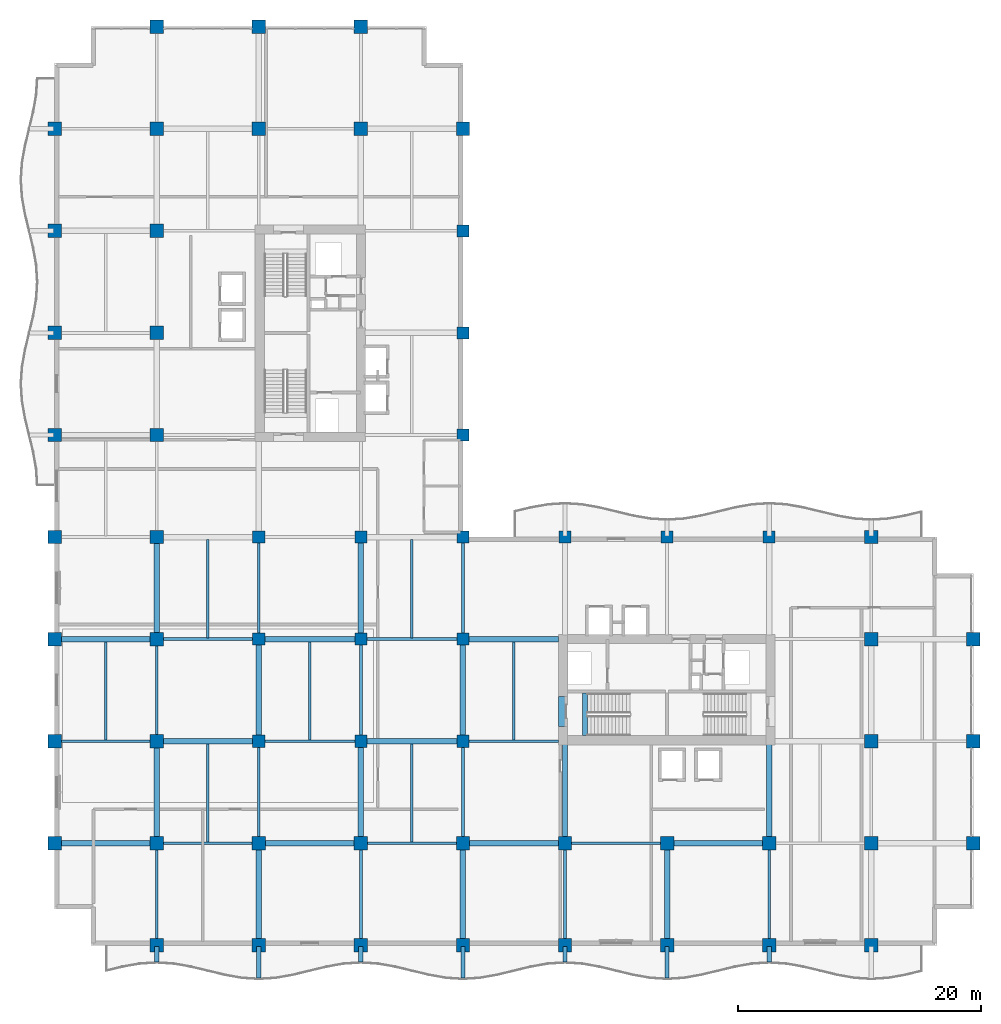
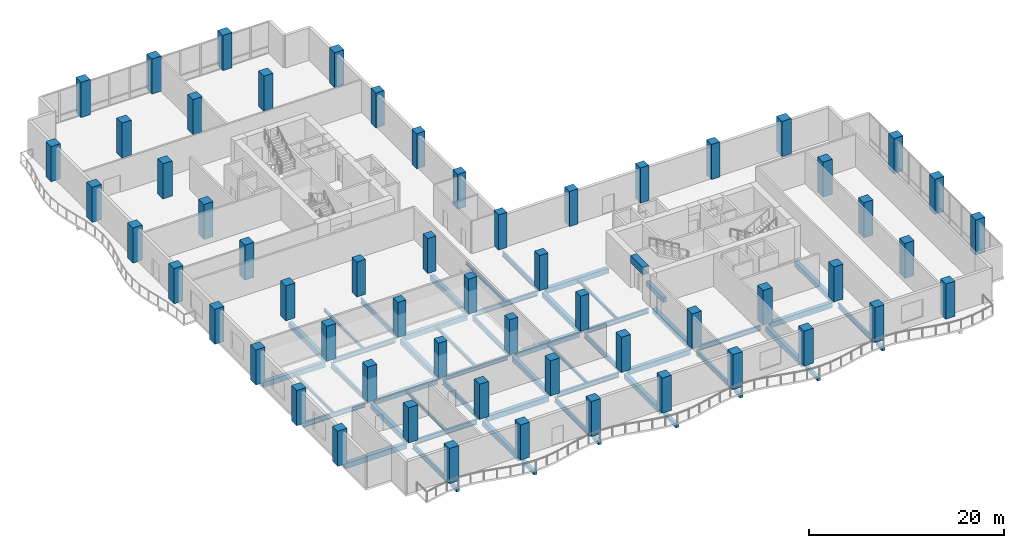
# One storey, part 1 of 25: 58 columns, 54 beams.
"""IFC4 building model written with IfcOpenShell, lengths in metres."""

from ifc_helpers import new_model, si_unit, direction, frame, origin, origin_2d, place, context, subcontext, project, spatial, rectangle, i_section, extrude, material, material_profile, profile_set, type_object, element, save


model = new_model("IFC4")

# Units and contexts
model_context = context("Model", 3, precision=1e-05, world=origin(), true_north=direction((0.0, 1.0)))
body_context = subcontext(model_context, "Body", "Model", "MODEL_VIEW")
ifc_project = project(units=[si_unit("LENGTHUNIT", "METRE"), si_unit("AREAUNIT", "SQUARE_METRE"), si_unit("VOLUMEUNIT", "CUBIC_METRE"), si_unit("PLANEANGLEUNIT", "RADIAN"), si_unit("MASSUNIT", "GRAM", prefix="KILO")], contexts=[model_context])

# Site, building, storey
site_placement = place(None, origin())
site = spatial("IfcSite", under=ifc_project, at=site_placement, CompositionType="ELEMENT")
building_placement = place(site_placement, origin())
building = spatial("IfcBuilding", under=site, at=building_placement, Name="Koriwani Terraces Tower", CompositionType="ELEMENT")
storey_placement = place(building_placement, frame((0.0, 0.0, 157.60009765625)))
storey = spatial("IfcBuildingStorey", under=building, at=storey_placement, Name="L38", CompositionType="ELEMENT", Elevation=157.60009765625)

# Columns
ifc_material_1 = material(Name="Concrete C50/60", Category="concrete")
ifc_material_profile_1 = material_profile(ifc_material_1, rectangle(XDim=1.0, YDim=1.0, at=origin_2d()), Name="Concrete C50/60", Category="LoadBearing")
ifc_profile_set_1 = profile_set([ifc_material_profile_1], Name="Concrete C50/60")
column_type_1 = type_object("IfcColumnType", Name="COL_RC_1000X1000", PredefinedType="COLUMN", material=ifc_profile_set_1)
for number, where, z_axis, x_axis, name in (
    (1, (16.800048828125, 16.800048828125, 0.0), (0.0, 0.0, 1.0), (1.0, 0.0, 0.0), "L38 Column 3/C"),
    (2, (16.800048828125, 25.199951171875, 0.0), (0.0, 0.0, 1.0), (1.0, 0.0, 0.0), "L38 Column 3/D"),
    (3, (16.800048828125, 33.60009765625, 0.0), (0.0, 0.0, 1.0), (1.0, 0.0, 0.0), "L38 Column 3/E"),
    (4, (25.199951171875, 16.800048828125, 0.0), (0.0, 0.0, 1.0), (1.0, 0.0, 0.0), "L38 Column 4/C"),
    (5, (25.199951171875, 25.199951171875, 0.0), (0.0, 0.0, 1.0), (1.0, 0.0, 0.0), "L38 Column 4/D"),
    (6, (25.199951171875, 33.60009765625, 0.0), (0.0, 0.0, 1.0), (1.0, 0.0, 0.0), "L38 Column 4/E"),
    (7, (33.60009765625, 16.800048828125, 0.0), (0.0, 0.0, 1.0), (1.0, 0.0, 0.0), "L38 Column 5/C"),
    (8, (33.60009765625, 25.199951171875, 0.0), (0.0, 0.0, 1.0), (1.0, 0.0, 0.0), "L38 Column 5/D"),
    (9, (33.60009765625, 33.60009765625, 0.0), (0.0, 0.0, 1.0), (1.0, 0.0, 0.0), "L38 Column 5/E"),
    (10, (33.60009765625, 42.0, 0.0), (0.0, 0.0, 1.0), (1.0, 0.0, 0.0), "L38 Column 5/F"),
    (11, (33.60009765625, 50.39990234375, 0.0), (0.0, 0.0, 1.0), (1.0, 0.0, 0.0), "L38 Column 5/G"),
    (12, (33.60009765625, 58.800048828125, 0.0), (0.0, 0.0, 1.0), (1.0, 0.0, 0.0), "L38 Column 5/H"),
    (13, (42.0, 33.60009765625, 0.0), (0.0, 0.0, 1.0), (1.0, 0.0, 0.0), "L38 Column 6/E"),
    (14, (50.39990234375, 33.60009765625, 0.0), (0.0, 0.0, 1.0), (1.0, 0.0, 0.0), "L38 Column 7/E"),
    (15, (58.800048828125, 33.60009765625, 0.0), (0.0, 0.0, 1.0), (1.0, 0.0, 0.0), "L38 Column 8/E"),
):
    element("IfcColumn", number, at=place(storey_placement, frame(where, z_axis=z_axis, x_axis=x_axis)), inside=storey, type_object=column_type_1, Name=name, PredefinedType="COLUMN", context=body_context, shape_type="SweptSolid", body=[
        extrude(rectangle(XDim=1.0, YDim=1.0, at=origin_2d()), origin(), (0.0, 0.0, 1.0), 4.39990234375),
    ])
ifc_material_profile_2 = material_profile(ifc_material_1, rectangle(XDim=1.10009765625, YDim=1.10009765625, at=origin_2d()), Name="Concrete C50/60", Category="LoadBearing")
ifc_profile_set_2 = profile_set([ifc_material_profile_2], Name="Concrete C50/60")
column_type_2 = type_object("IfcColumnType", Name="COL_RC_1100X1100", PredefinedType="COLUMN", material=ifc_profile_set_2)
for number, where, z_axis, x_axis, name in (
    (16, (0.0, 8.39990234375, 0.0), (0.0, 0.0, 1.0), (1.0, 0.0, 0.0), "L38 Column 1/B"),
    (17, (0.0, 16.800048828125, 0.0), (0.0, 0.0, 1.0), (1.0, 0.0, 0.0), "L38 Column 1/C"),
    (18, (0.0, 25.199951171875, 0.0), (0.0, 0.0, 1.0), (1.0, 0.0, 0.0), "L38 Column 1/D"),
    (19, (0.0, 33.60009765625, 0.0), (0.0, 0.0, 1.0), (1.0, 0.0, 0.0), "L38 Column 1/E"),
    (20, (0.0, 42.0, 0.0), (0.0, 0.0, 1.0), (1.0, 0.0, 0.0), "L38 Column 1/F"),
    (21, (0.0, 50.39990234375, 0.0), (0.0, 0.0, 1.0), (1.0, 0.0, 0.0), "L38 Column 1/G"),
    (22, (0.0, 58.800048828125, 0.0), (0.0, 0.0, 1.0), (1.0, 0.0, 0.0), "L38 Column 1/H"),
    (23, (0.0, 67.199951171875, 0.0), (0.0, 0.0, 1.0), (1.0, 0.0, 0.0), "L38 Column 1/I"),
    (24, (8.39990234375, 0.0, 0.0), (0.0, 0.0, 1.0), (1.0, 0.0, 0.0), "L38 Column 2/A"),
    (25, (8.39990234375, 8.39990234375, 0.0), (0.0, 0.0, 1.0), (1.0, 0.0, 0.0), "L38 Column 2/B"),
    (26, (8.39990234375, 16.800048828125, 0.0), (0.0, 0.0, 1.0), (1.0, 0.0, 0.0), "L38 Column 2/C"),
    (27, (8.39990234375, 25.199951171875, 0.0), (0.0, 0.0, 1.0), (1.0, 0.0, 0.0), "L38 Column 2/D"),
    (28, (8.39990234375, 33.60009765625, 0.0), (0.0, 0.0, 1.0), (1.0, 0.0, 0.0), "L38 Column 2/E"),
    (29, (8.39990234375, 42.0, 0.0), (0.0, 0.0, 1.0), (1.0, 0.0, 0.0), "L38 Column 2/F"),
    (30, (8.39990234375, 50.39990234375, 0.0), (0.0, 0.0, 1.0), (1.0, 0.0, 0.0), "L38 Column 2/G"),
    (31, (8.39990234375, 58.800048828125, 0.0), (0.0, 0.0, 1.0), (1.0, 0.0, 0.0), "L38 Column 2/H"),
    (32, (8.39990234375, 67.199951171875, 0.0), (0.0, 0.0, 1.0), (1.0, 0.0, 0.0), "L38 Column 2/I"),
    (33, (8.39990234375, 75.60009765625, 0.0), (0.0, 0.0, 1.0), (1.0, 0.0, 0.0), "L38 Column 2/J"),
    (34, (16.800048828125, 0.0, 0.0), (0.0, 0.0, 1.0), (1.0, 0.0, 0.0), "L38 Column 3/A"),
    (35, (16.800048828125, 8.39990234375, 0.0), (0.0, 0.0, 1.0), (1.0, 0.0, 0.0), "L38 Column 3/B"),
    (36, (16.800048828125, 67.199951171875, 0.0), (0.0, 0.0, 1.0), (1.0, 0.0, 0.0), "L38 Column 3/I"),
    (37, (16.800048828125, 75.60009765625, 0.0), (0.0, 0.0, 1.0), (1.0, 0.0, 0.0), "L38 Column 3/J"),
    (38, (25.199951171875, 0.0, 0.0), (0.0, 0.0, 1.0), (1.0, 0.0, 0.0), "L38 Column 4/A"),
    (39, (25.199951171875, 8.39990234375, 0.0), (0.0, 0.0, 1.0), (1.0, 0.0, 0.0), "L38 Column 4/B"),
    (40, (25.199951171875, 67.199951171875, 0.0), (0.0, 0.0, 1.0), (1.0, 0.0, 0.0), "L38 Column 4/I"),
    (41, (25.199951171875, 75.60009765625, 0.0), (0.0, 0.0, 1.0), (1.0, 0.0, 0.0), "L38 Column 4/J"),
    (42, (33.60009765625, 0.0, 0.0), (0.0, 0.0, 1.0), (1.0, 0.0, 0.0), "L38 Column 5/A"),
    (43, (33.60009765625, 8.39990234375, 0.0), (0.0, 0.0, 1.0), (1.0, 0.0, 0.0), "L38 Column 5/B"),
    (44, (33.60009765625, 67.199951171875, 0.0), (0.0, 0.0, 1.0), (1.0, 0.0, 0.0), "L38 Column 5/I"),
    (45, (42.0, 0.0, 0.0), (0.0, 0.0, 1.0), (1.0, 0.0, 0.0), "L38 Column 6/A"),
    (46, (42.0, 8.39990234375, 0.0), (0.0, 0.0, 1.0), (1.0, 0.0, 0.0), "L38 Column 6/B"),
    (47, (50.39990234375, 0.0, 0.0), (0.0, 0.0, 1.0), (1.0, 0.0, 0.0), "L38 Column 7/A"),
    (48, (50.39990234375, 8.39990234375, 0.0), (0.0, 0.0, 1.0), (1.0, 0.0, 0.0), "L38 Column 7/B"),
    (49, (58.800048828125, 0.0, 0.0), (0.0, 0.0, 1.0), (1.0, 0.0, 0.0), "L38 Column 8/A"),
    (50, (58.800048828125, 8.39990234375, 0.0), (0.0, 0.0, 1.0), (1.0, 0.0, 0.0), "L38 Column 8/B"),
    (51, (67.199951171875, 0.0, 0.0), (0.0, 0.0, 1.0), (1.0, 0.0, 0.0), "L38 Column 9/A"),
    (52, (67.199951171875, 8.39990234375, 0.0), (0.0, 0.0, 1.0), (1.0, 0.0, 0.0), "L38 Column 9/B"),
    (53, (67.199951171875, 16.800048828125, 0.0), (0.0, 0.0, 1.0), (1.0, 0.0, 0.0), "L38 Column 9/C"),
    (54, (67.199951171875, 25.199951171875, 0.0), (0.0, 0.0, 1.0), (1.0, 0.0, 0.0), "L38 Column 9/D"),
    (55, (67.199951171875, 33.60009765625, 0.0), (0.0, 0.0, 1.0), (1.0, 0.0, 0.0), "L38 Column 9/E"),
    (56, (75.60009765625, 8.39990234375, 0.0), (0.0, 0.0, 1.0), (1.0, 0.0, 0.0), "L38 Column 10/B"),
    (57, (75.60009765625, 16.800048828125, 0.0), (0.0, 0.0, 1.0), (1.0, 0.0, 0.0), "L38 Column 10/C"),
    (58, (75.60009765625, 25.199951171875, 0.0), (0.0, 0.0, 1.0), (1.0, 0.0, 0.0), "L38 Column 10/D"),
):
    element("IfcColumn", number, at=place(storey_placement, frame(where, z_axis=z_axis, x_axis=x_axis)), inside=storey, type_object=column_type_2, Name=name, PredefinedType="COLUMN", context=body_context, shape_type="SweptSolid", body=[
        extrude(rectangle(XDim=1.10009765625, YDim=1.10009765625, at=origin_2d()), origin(), (0.0, 0.0, 1.0), 4.39990234375),
    ])

# Beams
ifc_material_2 = material(Name="Concrete C40/50", Category="concrete")
ifc_material_profile_3 = material_profile(ifc_material_2, rectangle(XDim=0.35009765625, YDim=0.449951171875, at=origin_2d()), Name="Concrete C40/50", Category="LoadBearing")
ifc_profile_set_3 = profile_set([ifc_material_profile_3], Name="Concrete C40/50")
beam_type_1 = type_object("IfcBeamType", Name="BEAM_RC_BALCONY_RIB_350X450", PredefinedType="JOIST", material=ifc_profile_set_3)
beam_1_placement = place(storey_placement, frame((8.39990234375, -1.35009765625, -0.47509765625), z_axis=(0.0, 1.0, 0.0), x_axis=(-1.0, 0.0, 0.0)))
element("IfcBeam", 59, at=beam_1_placement, inside=storey, type_object=beam_type_1, Name="L38 Balcony Bracket Rib S-1", PredefinedType="JOIST", context=body_context, shape_type="SweptSolid", body=[
    extrude(rectangle(XDim=0.35009765625, YDim=0.449951171875, at=origin_2d()), origin(), (0.0, 0.0, 1.0), 1.25),
])
beam_2_placement = place(storey_placement, frame((16.800048828125, -2.699951171875, -0.47509765625), z_axis=(0.0, 1.0, 0.0), x_axis=(-1.0, 0.0, 0.0)))
element("IfcBeam", 60, at=beam_2_placement, inside=storey, type_object=beam_type_1, Name="L38 Balcony Bracket Rib S-2", PredefinedType="JOIST", context=body_context, shape_type="SweptSolid", body=[
    extrude(rectangle(XDim=0.35009765625, YDim=0.449951171875, at=origin_2d()), origin(), (0.0, 0.0, 1.0), 2.599853515625),
])
beam_3_placement = place(storey_placement, frame((25.199951171875, -1.35009765625, -0.47509765625), z_axis=(0.0, 1.0, 0.0), x_axis=(-1.0, 0.0, 0.0)))
element("IfcBeam", 61, at=beam_3_placement, inside=storey, type_object=beam_type_1, Name="L38 Balcony Bracket Rib S-3", PredefinedType="JOIST", context=body_context, shape_type="SweptSolid", body=[
    extrude(rectangle(XDim=0.35009765625, YDim=0.449951171875, at=origin_2d()), origin(), (0.0, 0.0, 1.0), 1.25),
])
beam_4_placement = place(storey_placement, frame((33.60009765625, -2.699951171875, -0.47509765625), z_axis=(0.0, 1.0, 0.0), x_axis=(-1.0, 0.0, 0.0)))
element("IfcBeam", 62, at=beam_4_placement, inside=storey, type_object=beam_type_1, Name="L38 Balcony Bracket Rib S-4", PredefinedType="JOIST", context=body_context, shape_type="SweptSolid", body=[
    extrude(rectangle(XDim=0.35009765625, YDim=0.449951171875, at=origin_2d()), origin(), (0.0, 0.0, 1.0), 2.599853515625),
])
beam_5_placement = place(storey_placement, frame((42.0, -1.35009765625, -0.47509765625), z_axis=(0.0, 1.0, 0.0), x_axis=(-1.0, 0.0, 0.0)))
element("IfcBeam", 63, at=beam_5_placement, inside=storey, type_object=beam_type_1, Name="L38 Balcony Bracket Rib S-5", PredefinedType="JOIST", context=body_context, shape_type="SweptSolid", body=[
    extrude(rectangle(XDim=0.35009765625, YDim=0.449951171875, at=origin_2d()), origin(), (0.0, 0.0, 1.0), 1.25),
])
beam_6_placement = place(storey_placement, frame((50.39990234375, -2.699951171875, -0.47509765625), z_axis=(0.0, 1.0, 0.0), x_axis=(-1.0, 0.0, 0.0)))
element("IfcBeam", 64, at=beam_6_placement, inside=storey, type_object=beam_type_1, Name="L38 Balcony Bracket Rib S-6", PredefinedType="JOIST", context=body_context, shape_type="SweptSolid", body=[
    extrude(rectangle(XDim=0.35009765625, YDim=0.449951171875, at=origin_2d()), origin(), (0.0, 0.0, 1.0), 2.599853515625),
])
beam_7_placement = place(storey_placement, frame((58.800048828125, -1.35009765625, -0.47509765625), z_axis=(0.0, 1.0, 0.0), x_axis=(-1.0, 0.0, 0.0)))
element("IfcBeam", 65, at=beam_7_placement, inside=storey, type_object=beam_type_1, Name="L38 Balcony Bracket Rib S-7", PredefinedType="JOIST", context=body_context, shape_type="SweptSolid", body=[
    extrude(rectangle(XDim=0.35009765625, YDim=0.449951171875, at=origin_2d()), origin(), (0.0, 0.0, 1.0), 1.25),
])
ifc_material_3 = material(Name="Concrete C60/75", Category="concrete")
ifc_material_profile_4 = material_profile(ifc_material_3, rectangle(XDim=0.699951171875, YDim=0.949951171875, at=origin_2d()), Name="Concrete C60/75", Category="LoadBearing")
ifc_profile_set_4 = profile_set([ifc_material_profile_4], Name="Concrete C60/75")
beam_type_2 = type_object("IfcBeamType", Name="BEAM_RC_COUPLING_700X950", PredefinedType="LINTEL", material=ifc_profile_set_4)
beam_8_placement = place(storey_placement, frame((41.824951171875, 18.0, 3.574951171875), z_axis=(0.0, 1.0, 0.0), x_axis=(-1.0, 0.0, 0.0)))
element("IfcBeam", 66, at=beam_8_placement, inside=storey, type_object=beam_type_2, Name="L38 Core Coupling Lintel Beam EW", PredefinedType="LINTEL", context=body_context, shape_type="SweptSolid", body=[
    extrude(rectangle(XDim=0.699951171875, YDim=0.949951171875, at=origin_2d()), origin(), (0.0, 0.0, 1.0), 2.5),
])
ifc_material_profile_5 = material_profile(ifc_material_2, rectangle(XDim=0.39990234375, YDim=0.60009765625, at=origin_2d()), Name="Concrete C40/50", Category="LoadBearing")
ifc_profile_set_5 = profile_set([ifc_material_profile_5], Name="Concrete C40/50")
beam_type_3 = type_object("IfcBeamType", Name="BEAM_RC_GRID_400X600", PredefinedType="BEAM", material=ifc_profile_set_5)
beam_9_placement = place(storey_placement, frame((43.655029296875, 17.25, -0.300048828125), z_axis=(0.0, 1.0, 0.0), x_axis=(-1.0, 0.0, 0.0)))
element("IfcBeam", 67, at=beam_9_placement, inside=storey, type_object=beam_type_3, Name="L38 Stairwell Header Trimmer Beam ST-E1", PredefinedType="BEAM", context=body_context, shape_type="SweptSolid", body=[
    extrude(rectangle(XDim=0.39990234375, YDim=0.60009765625, at=origin_2d()), origin(), (0.0, 0.0, 1.0), 3.5),
])
ifc_material_profile_6 = material_profile(ifc_material_1, rectangle(XDim=0.449951171875, YDim=0.64990234375, at=origin_2d()), Name="Concrete C50/60", Category="LoadBearing")
ifc_profile_set_6 = profile_set([ifc_material_profile_6], Name="Concrete C50/60")
beam_type_4 = type_object("IfcBeamType", Name="BEAM_RC_GRID_450X650", PredefinedType="BEAM", material=ifc_profile_set_6)
beam_10_placement = place(storey_placement, frame((0.530029296875, 8.39990234375, -0.5751953125), z_axis=(1.0, 0.0, 0.0), x_axis=(0.0, 1.0, 0.0)))
element("IfcBeam", 68, at=beam_10_placement, inside=storey, type_object=beam_type_4, Name="L38 Grid Beam B (0.0-8.4m)", PredefinedType="BEAM", context=body_context, shape_type="SweptSolid", body=[
    extrude(rectangle(XDim=0.449951171875, YDim=0.64990234375, at=origin_2d()), origin(), (0.0, 0.0, 1.0), 7.340087890625),
])
beam_11_placement = place(storey_placement, frame((17.330078125, 8.39990234375, -0.5751953125), z_axis=(1.0, 0.0, 0.0), x_axis=(0.0, 1.0, 0.0)))
element("IfcBeam", 69, at=beam_11_placement, inside=storey, type_object=beam_type_4, Name="L38 Grid Beam B (16.8-25.2m)", PredefinedType="BEAM", context=body_context, shape_type="SweptSolid", body=[
    extrude(rectangle(XDim=0.449951171875, YDim=0.64990234375, at=origin_2d()), origin(), (0.0, 0.0, 1.0), 7.33984375),
])
for number, where, z_axis, x_axis, name in (
    (70, (34.1298828125, 8.39990234375, -0.5751953125), (1.0, 0.0, 0.0), (0.0, 1.0, 0.0), "L38 Grid Beam B (33.6-42.0m)"),
    (71, (50.929931640625, 8.39990234375, -0.5751953125), (1.0, 0.0, 0.0), (0.0, 1.0, 0.0), "L38 Grid Beam B (50.4-58.8m)"),
):
    element("IfcBeam", number, at=place(storey_placement, frame(where, z_axis=z_axis, x_axis=x_axis)), inside=storey, type_object=beam_type_4, Name=name, PredefinedType="BEAM", context=body_context, shape_type="SweptSolid", body=[
        extrude(rectangle(XDim=0.449951171875, YDim=0.64990234375, at=origin_2d()), origin(), (0.0, 0.0, 1.0), 7.340087890625),
    ])
beam_12_placement = place(storey_placement, frame((8.929931640625, 16.800048828125, -0.5751953125), z_axis=(1.0, 0.0, 0.0), x_axis=(0.0, 1.0, 0.0)))
element("IfcBeam", 72, at=beam_12_placement, inside=storey, type_object=beam_type_4, Name="L38 Grid Beam C (8.4-16.8m)", PredefinedType="BEAM", context=body_context, shape_type="SweptSolid", body=[
    extrude(rectangle(XDim=0.449951171875, YDim=0.64990234375, at=origin_2d()), origin(), (0.0, 0.0, 1.0), 7.39013671875),
])
beam_13_placement = place(storey_placement, frame((25.679931640625, 16.800048828125, -0.5751953125), z_axis=(1.0, 0.0, 0.0), x_axis=(0.0, 1.0, 0.0)))
element("IfcBeam", 73, at=beam_13_placement, inside=storey, type_object=beam_type_4, Name="L38 Grid Beam C (25.2-33.6m)", PredefinedType="BEAM", context=body_context, shape_type="SweptSolid", body=[
    extrude(rectangle(XDim=0.449951171875, YDim=0.64990234375, at=origin_2d()), origin(), (0.0, 0.0, 1.0), 7.440185546875),
])
beam_14_placement = place(storey_placement, frame((0.530029296875, 25.199951171875, -0.5751953125), z_axis=(1.0, 0.0, 0.0), x_axis=(0.0, 1.0, 0.0)))
element("IfcBeam", 74, at=beam_14_placement, inside=storey, type_object=beam_type_4, Name="L38 Grid Beam D (0.0-8.4m)", PredefinedType="BEAM", context=body_context, shape_type="SweptSolid", body=[
    extrude(rectangle(XDim=0.449951171875, YDim=0.64990234375, at=origin_2d()), origin(), (0.0, 0.0, 1.0), 7.340087890625),
])
beam_15_placement = place(storey_placement, frame((17.280029296875, 25.199951171875, -0.5751953125), z_axis=(1.0, 0.0, 0.0), x_axis=(0.0, 1.0, 0.0)))
element("IfcBeam", 75, at=beam_15_placement, inside=storey, type_object=beam_type_4, Name="L38 Grid Beam D (16.8-25.2m)", PredefinedType="BEAM", context=body_context, shape_type="SweptSolid", body=[
    extrude(rectangle(XDim=0.449951171875, YDim=0.64990234375, at=origin_2d()), origin(), (0.0, 0.0, 1.0), 7.43994140625),
])
beam_16_placement = place(storey_placement, frame((34.080078125, 25.199951171875, -0.5751953125), z_axis=(1.0, 0.0, 0.0), x_axis=(0.0, 1.0, 0.0)))
element("IfcBeam", 76, at=beam_16_placement, inside=storey, type_object=beam_type_4, Name="L38 Grid Beam D (33.6-42.0m)", PredefinedType="BEAM", context=body_context, shape_type="SweptSolid", body=[
    extrude(rectangle(XDim=0.449951171875, YDim=0.64990234375, at=origin_2d()), origin(), (0.0, 0.0, 1.0), 7.389892578125),
])
for number, where, z_axis, x_axis, name in (
    (77, (8.39990234375, 8.929931640625, -0.5751953125), (0.0, 1.0, 0.0), (-1.0, 0.0, 0.0), "L38 Grid Beam 2 (8.4-16.8m)"),
    (78, (8.39990234375, 25.72998046875, -0.5751953125), (0.0, 1.0, 0.0), (-1.0, 0.0, 0.0), "L38 Grid Beam 2 (25.2-33.6m)"),
    (79, (16.800048828125, 0.530029296875, -0.5751953125), (0.0, 1.0, 0.0), (-1.0, 0.0, 0.0), "L38 Grid Beam 3 (0.0-8.4m)"),
):
    element("IfcBeam", number, at=place(storey_placement, frame(where, z_axis=z_axis, x_axis=x_axis)), inside=storey, type_object=beam_type_4, Name=name, PredefinedType="BEAM", context=body_context, shape_type="SweptSolid", body=[
        extrude(rectangle(XDim=0.449951171875, YDim=0.64990234375, at=origin_2d()), origin(), (0.0, 0.0, 1.0), 7.340087890625),
    ])
beam_17_placement = place(storey_placement, frame((16.800048828125, 17.280029296875, -0.5751953125), z_axis=(0.0, 1.0, 0.0), x_axis=(-1.0, 0.0, 0.0)))
element("IfcBeam", 80, at=beam_17_placement, inside=storey, type_object=beam_type_4, Name="L38 Grid Beam 3 (16.8-25.2m)", PredefinedType="BEAM", context=body_context, shape_type="SweptSolid", body=[
    extrude(rectangle(XDim=0.449951171875, YDim=0.64990234375, at=origin_2d()), origin(), (0.0, 0.0, 1.0), 7.43994140625),
])
beam_18_placement = place(storey_placement, frame((25.199951171875, 8.929931640625, -0.5751953125), z_axis=(0.0, 1.0, 0.0), x_axis=(-1.0, 0.0, 0.0)))
element("IfcBeam", 81, at=beam_18_placement, inside=storey, type_object=beam_type_4, Name="L38 Grid Beam 4 (8.4-16.8m)", PredefinedType="BEAM", context=body_context, shape_type="SweptSolid", body=[
    extrude(rectangle(XDim=0.449951171875, YDim=0.64990234375, at=origin_2d()), origin(), (0.0, 0.0, 1.0), 7.39013671875),
])
beam_19_placement = place(storey_placement, frame((25.199951171875, 25.679931640625, -0.5751953125), z_axis=(0.0, 1.0, 0.0), x_axis=(-1.0, 0.0, 0.0)))
element("IfcBeam", 82, at=beam_19_placement, inside=storey, type_object=beam_type_4, Name="L38 Grid Beam 4 (25.2-33.6m)", PredefinedType="BEAM", context=body_context, shape_type="SweptSolid", body=[
    extrude(rectangle(XDim=0.449951171875, YDim=0.64990234375, at=origin_2d()), origin(), (0.0, 0.0, 1.0), 7.440185546875),
])
beam_20_placement = place(storey_placement, frame((33.60009765625, 0.530029296875, -0.5751953125), z_axis=(0.0, 1.0, 0.0), x_axis=(-1.0, 0.0, 0.0)))
element("IfcBeam", 83, at=beam_20_placement, inside=storey, type_object=beam_type_4, Name="L38 Grid Beam 5 (0.0-8.4m)", PredefinedType="BEAM", context=body_context, shape_type="SweptSolid", body=[
    extrude(rectangle(XDim=0.449951171875, YDim=0.64990234375, at=origin_2d()), origin(), (0.0, 0.0, 1.0), 7.340087890625),
])
beam_21_placement = place(storey_placement, frame((33.60009765625, 17.280029296875, -0.5751953125), z_axis=(0.0, 1.0, 0.0), x_axis=(-1.0, 0.0, 0.0)))
element("IfcBeam", 84, at=beam_21_placement, inside=storey, type_object=beam_type_4, Name="L38 Grid Beam 5 (16.8-25.2m)", PredefinedType="BEAM", context=body_context, shape_type="SweptSolid", body=[
    extrude(rectangle(XDim=0.449951171875, YDim=0.64990234375, at=origin_2d()), origin(), (0.0, 0.0, 1.0), 7.43994140625),
])
beam_22_placement = place(storey_placement, frame((42.0, 8.929931640625, -0.5751953125), z_axis=(0.0, 1.0, 0.0), x_axis=(-1.0, 0.0, 0.0)))
element("IfcBeam", 85, at=beam_22_placement, inside=storey, type_object=beam_type_4, Name="L38 Grid Beam 6 (8.4-16.8m)", PredefinedType="BEAM", context=body_context, shape_type="SweptSolid", body=[
    extrude(rectangle(XDim=0.449951171875, YDim=0.64990234375, at=origin_2d()), origin(), (0.0, 0.0, 1.0), 7.590087890625),
])
beam_23_placement = place(storey_placement, frame((50.39990234375, 0.530029296875, -0.5751953125), z_axis=(0.0, 1.0, 0.0), x_axis=(-1.0, 0.0, 0.0)))
element("IfcBeam", 86, at=beam_23_placement, inside=storey, type_object=beam_type_4, Name="L38 Grid Beam 7 (0.0-8.4m)", PredefinedType="BEAM", context=body_context, shape_type="SweptSolid", body=[
    extrude(rectangle(XDim=0.449951171875, YDim=0.64990234375, at=origin_2d()), origin(), (0.0, 0.0, 1.0), 7.340087890625),
])
beam_24_placement = place(storey_placement, frame((58.800048828125, 8.929931640625, -0.5751953125), z_axis=(0.0, 1.0, 0.0), x_axis=(-1.0, 0.0, 0.0)))
element("IfcBeam", 87, at=beam_24_placement, inside=storey, type_object=beam_type_4, Name="L38 Grid Beam 8 (8.4-16.8m)", PredefinedType="BEAM", context=body_context, shape_type="SweptSolid", body=[
    extrude(rectangle(XDim=0.449951171875, YDim=0.64990234375, at=origin_2d()), origin(), (0.0, 0.0, 1.0), 7.590087890625),
])
ifc_material_4 = material(Name="Steel ASTM A572 Grade 50", Category="steel")
ifc_material_profile_7 = material_profile(ifc_material_4, i_section(OverallWidth=0.205078125, OverallDepth=0.35400390625, WebThickness=0.009521484375, FlangeThickness=0.016845703125, at=origin_2d()), Name="Steel ASTM A572 Grade 50", Category="LoadBearing")
ifc_profile_set_7 = profile_set([ifc_material_profile_7], Name="Steel ASTM A572 Grade 50")
beam_type_5 = type_object("IfcBeamType", Name="STEEL_BEAM_W360X79", PredefinedType="JOIST", material=ifc_profile_set_7)
beam_25_placement = place(storey_placement, frame((4.199951171875, 16.905517578125, -0.427001953125), z_axis=(0.0, 1.0, 0.0), x_axis=(-1.0, 0.0, 0.0)))
element("IfcBeam", 88, at=beam_25_placement, inside=storey, type_object=beam_type_5, Name="L38 Secondary Steel Floor Joist X=4.2m", PredefinedType="JOIST", context=body_context, shape_type="SweptSolid", body=[
    extrude(i_section(OverallWidth=0.205078125, OverallDepth=0.35400390625, WebThickness=0.009521484375, FlangeThickness=0.016845703125, at=origin_2d()), origin(), (0.0, 0.0, 1.0), 8.07958984375),
])
beam_26_placement = place(storey_placement, frame((12.60009765625, 8.505615234375, -0.427001953125), z_axis=(0.0, 1.0, 0.0), x_axis=(-1.0, 0.0, 0.0)))
element("IfcBeam", 89, at=beam_26_placement, inside=storey, type_object=beam_type_5, Name="L38 Secondary Steel Floor Joist X=12.6m", PredefinedType="JOIST", context=body_context, shape_type="SweptSolid", body=[
    extrude(i_section(OverallWidth=0.205078125, OverallDepth=0.35400390625, WebThickness=0.009521484375, FlangeThickness=0.016845703125, at=origin_2d()), origin(), (0.0, 0.0, 1.0), 8.079345703125),
])
for number, where, z_axis, x_axis, name in (
    (90, (12.60009765625, 25.305419921875, -0.427001953125), (0.0, 1.0, 0.0), (-1.0, 0.0, 0.0), "L38 Secondary Steel Floor Joist X=12.6m"),
    (91, (21.0, 16.905517578125, -0.427001953125), (0.0, 1.0, 0.0), (-1.0, 0.0, 0.0), "L38 Secondary Steel Floor Joist X=21.0m"),
):
    element("IfcBeam", number, at=place(storey_placement, frame(where, z_axis=z_axis, x_axis=x_axis)), inside=storey, type_object=beam_type_5, Name=name, PredefinedType="JOIST", context=body_context, shape_type="SweptSolid", body=[
        extrude(i_section(OverallWidth=0.205078125, OverallDepth=0.35400390625, WebThickness=0.009521484375, FlangeThickness=0.016845703125, at=origin_2d()), origin(), (0.0, 0.0, 1.0), 8.07958984375),
    ])
beam_27_placement = place(storey_placement, frame((29.39990234375, 8.505615234375, -0.427001953125), z_axis=(0.0, 1.0, 0.0), x_axis=(-1.0, 0.0, 0.0)))
element("IfcBeam", 92, at=beam_27_placement, inside=storey, type_object=beam_type_5, Name="L38 Secondary Steel Floor Joist X=29.4m", PredefinedType="JOIST", context=body_context, shape_type="SweptSolid", body=[
    extrude(i_section(OverallWidth=0.205078125, OverallDepth=0.35400390625, WebThickness=0.009521484375, FlangeThickness=0.016845703125, at=origin_2d()), origin(), (0.0, 0.0, 1.0), 8.079345703125),
])
for number, where, z_axis, x_axis, name in (
    (93, (29.39990234375, 25.305419921875, -0.427001953125), (0.0, 1.0, 0.0), (-1.0, 0.0, 0.0), "L38 Secondary Steel Floor Joist X=29.4m"),
    (94, (37.800048828125, 16.905517578125, -0.427001953125), (0.0, 1.0, 0.0), (-1.0, 0.0, 0.0), "L38 Secondary Steel Floor Joist X=37.8m"),
):
    element("IfcBeam", number, at=place(storey_placement, frame(where, z_axis=z_axis, x_axis=x_axis)), inside=storey, type_object=beam_type_5, Name=name, PredefinedType="JOIST", context=body_context, shape_type="SweptSolid", body=[
        extrude(i_section(OverallWidth=0.205078125, OverallDepth=0.35400390625, WebThickness=0.009521484375, FlangeThickness=0.016845703125, at=origin_2d()), origin(), (0.0, 0.0, 1.0), 8.07958984375),
    ])
ifc_material_profile_8 = material_profile(ifc_material_4, i_section(OverallWidth=0.23095703125, OverallDepth=0.616943359375, WebThickness=0.015380859375, FlangeThickness=0.0244140625, at=origin_2d()), Name="Steel ASTM A572 Grade 50", Category="LoadBearing")
ifc_profile_set_8 = profile_set([ifc_material_profile_8], Name="Steel ASTM A572 Grade 50")
beam_type_6 = type_object("IfcBeamType", Name="STEEL_BEAM_W610X195", PredefinedType="BEAM", material=ifc_profile_set_8)
for number, where, z_axis, x_axis, name in (
    (95, (8.929931640625, 8.39990234375, -0.55859375), (1.0, 0.0, 0.0), (0.0, 1.0, 0.0), "L38 Grid Beam B (8.4-16.8m)"),
    (96, (25.72998046875, 8.39990234375, -0.55859375), (1.0, 0.0, 0.0), (0.0, 1.0, 0.0), "L38 Grid Beam B (25.2-33.6m)"),
    (97, (42.530029296875, 8.39990234375, -0.55859375), (1.0, 0.0, 0.0), (0.0, 1.0, 0.0), "L38 Grid Beam B (42.0-50.4m)"),
    (98, (0.530029296875, 16.800048828125, -0.55859375), (1.0, 0.0, 0.0), (0.0, 1.0, 0.0), "L38 Grid Beam C (0.0-8.4m)"),
):
    element("IfcBeam", number, at=place(storey_placement, frame(where, z_axis=z_axis, x_axis=x_axis)), inside=storey, type_object=beam_type_6, Name=name, PredefinedType="BEAM", context=body_context, shape_type="SweptSolid", body=[
        extrude(i_section(OverallWidth=0.23095703125, OverallDepth=0.616943359375, WebThickness=0.015380859375, FlangeThickness=0.0244140625, at=origin_2d()), origin(), (0.0, 0.0, 1.0), 7.340087890625),
    ])
beam_28_placement = place(storey_placement, frame((17.280029296875, 16.800048828125, -0.55859375), z_axis=(1.0, 0.0, 0.0), x_axis=(0.0, 1.0, 0.0)))
element("IfcBeam", 99, at=beam_28_placement, inside=storey, type_object=beam_type_6, Name="L38 Grid Beam C (16.8-25.2m)", PredefinedType="BEAM", context=body_context, shape_type="SweptSolid", body=[
    extrude(i_section(OverallWidth=0.23095703125, OverallDepth=0.616943359375, WebThickness=0.015380859375, FlangeThickness=0.0244140625, at=origin_2d()), origin(), (0.0, 0.0, 1.0), 7.43994140625),
])
beam_29_placement = place(storey_placement, frame((34.080078125, 16.800048828125, -0.55859375), z_axis=(1.0, 0.0, 0.0), x_axis=(0.0, 1.0, 0.0)))
element("IfcBeam", 100, at=beam_29_placement, inside=storey, type_object=beam_type_6, Name="L38 Grid Beam C (33.6-42.0m)", PredefinedType="BEAM", context=body_context, shape_type="SweptSolid", body=[
    extrude(i_section(OverallWidth=0.23095703125, OverallDepth=0.616943359375, WebThickness=0.015380859375, FlangeThickness=0.0244140625, at=origin_2d()), origin(), (0.0, 0.0, 1.0), 7.389892578125),
])
beam_30_placement = place(storey_placement, frame((8.929931640625, 25.199951171875, -0.55859375), z_axis=(1.0, 0.0, 0.0), x_axis=(0.0, 1.0, 0.0)))
element("IfcBeam", 101, at=beam_30_placement, inside=storey, type_object=beam_type_6, Name="L38 Grid Beam D (8.4-16.8m)", PredefinedType="BEAM", context=body_context, shape_type="SweptSolid", body=[
    extrude(i_section(OverallWidth=0.23095703125, OverallDepth=0.616943359375, WebThickness=0.015380859375, FlangeThickness=0.0244140625, at=origin_2d()), origin(), (0.0, 0.0, 1.0), 7.39013671875),
])
beam_31_placement = place(storey_placement, frame((25.679931640625, 25.199951171875, -0.55859375), z_axis=(1.0, 0.0, 0.0), x_axis=(0.0, 1.0, 0.0)))
element("IfcBeam", 102, at=beam_31_placement, inside=storey, type_object=beam_type_6, Name="L38 Grid Beam D (25.2-33.6m)", PredefinedType="BEAM", context=body_context, shape_type="SweptSolid", body=[
    extrude(i_section(OverallWidth=0.23095703125, OverallDepth=0.616943359375, WebThickness=0.015380859375, FlangeThickness=0.0244140625, at=origin_2d()), origin(), (0.0, 0.0, 1.0), 7.440185546875),
])
beam_32_placement = place(storey_placement, frame((8.39990234375, 0.530029296875, -0.55859375), z_axis=(0.0, 1.0, 0.0), x_axis=(-1.0, 0.0, 0.0)))
element("IfcBeam", 103, at=beam_32_placement, inside=storey, type_object=beam_type_6, Name="L38 Grid Beam 2 (0.0-8.4m)", PredefinedType="BEAM", context=body_context, shape_type="SweptSolid", body=[
    extrude(i_section(OverallWidth=0.23095703125, OverallDepth=0.616943359375, WebThickness=0.015380859375, FlangeThickness=0.0244140625, at=origin_2d()), origin(), (0.0, 0.0, 1.0), 7.340087890625),
])
beam_33_placement = place(storey_placement, frame((8.39990234375, 17.330078125, -0.55859375), z_axis=(0.0, 1.0, 0.0), x_axis=(-1.0, 0.0, 0.0)))
element("IfcBeam", 104, at=beam_33_placement, inside=storey, type_object=beam_type_6, Name="L38 Grid Beam 2 (16.8-25.2m)", PredefinedType="BEAM", context=body_context, shape_type="SweptSolid", body=[
    extrude(i_section(OverallWidth=0.23095703125, OverallDepth=0.616943359375, WebThickness=0.015380859375, FlangeThickness=0.0244140625, at=origin_2d()), origin(), (0.0, 0.0, 1.0), 7.33984375),
])
beam_34_placement = place(storey_placement, frame((16.800048828125, 8.929931640625, -0.55859375), z_axis=(0.0, 1.0, 0.0), x_axis=(-1.0, 0.0, 0.0)))
element("IfcBeam", 105, at=beam_34_placement, inside=storey, type_object=beam_type_6, Name="L38 Grid Beam 3 (8.4-16.8m)", PredefinedType="BEAM", context=body_context, shape_type="SweptSolid", body=[
    extrude(i_section(OverallWidth=0.23095703125, OverallDepth=0.616943359375, WebThickness=0.015380859375, FlangeThickness=0.0244140625, at=origin_2d()), origin(), (0.0, 0.0, 1.0), 7.39013671875),
])
beam_35_placement = place(storey_placement, frame((16.800048828125, 25.679931640625, -0.55859375), z_axis=(0.0, 1.0, 0.0), x_axis=(-1.0, 0.0, 0.0)))
element("IfcBeam", 106, at=beam_35_placement, inside=storey, type_object=beam_type_6, Name="L38 Grid Beam 3 (25.2-33.6m)", PredefinedType="BEAM", context=body_context, shape_type="SweptSolid", body=[
    extrude(i_section(OverallWidth=0.23095703125, OverallDepth=0.616943359375, WebThickness=0.015380859375, FlangeThickness=0.0244140625, at=origin_2d()), origin(), (0.0, 0.0, 1.0), 7.440185546875),
])
beam_36_placement = place(storey_placement, frame((25.199951171875, 0.530029296875, -0.55859375), z_axis=(0.0, 1.0, 0.0), x_axis=(-1.0, 0.0, 0.0)))
element("IfcBeam", 107, at=beam_36_placement, inside=storey, type_object=beam_type_6, Name="L38 Grid Beam 4 (0.0-8.4m)", PredefinedType="BEAM", context=body_context, shape_type="SweptSolid", body=[
    extrude(i_section(OverallWidth=0.23095703125, OverallDepth=0.616943359375, WebThickness=0.015380859375, FlangeThickness=0.0244140625, at=origin_2d()), origin(), (0.0, 0.0, 1.0), 7.340087890625),
])
beam_37_placement = place(storey_placement, frame((25.199951171875, 17.280029296875, -0.55859375), z_axis=(0.0, 1.0, 0.0), x_axis=(-1.0, 0.0, 0.0)))
element("IfcBeam", 108, at=beam_37_placement, inside=storey, type_object=beam_type_6, Name="L38 Grid Beam 4 (16.8-25.2m)", PredefinedType="BEAM", context=body_context, shape_type="SweptSolid", body=[
    extrude(i_section(OverallWidth=0.23095703125, OverallDepth=0.616943359375, WebThickness=0.015380859375, FlangeThickness=0.0244140625, at=origin_2d()), origin(), (0.0, 0.0, 1.0), 7.43994140625),
])
beam_38_placement = place(storey_placement, frame((33.60009765625, 8.929931640625, -0.55859375), z_axis=(0.0, 1.0, 0.0), x_axis=(-1.0, 0.0, 0.0)))
element("IfcBeam", 109, at=beam_38_placement, inside=storey, type_object=beam_type_6, Name="L38 Grid Beam 5 (8.4-16.8m)", PredefinedType="BEAM", context=body_context, shape_type="SweptSolid", body=[
    extrude(i_section(OverallWidth=0.23095703125, OverallDepth=0.616943359375, WebThickness=0.015380859375, FlangeThickness=0.0244140625, at=origin_2d()), origin(), (0.0, 0.0, 1.0), 7.39013671875),
])
beam_39_placement = place(storey_placement, frame((33.60009765625, 25.679931640625, -0.55859375), z_axis=(0.0, 1.0, 0.0), x_axis=(-1.0, 0.0, 0.0)))
element("IfcBeam", 110, at=beam_39_placement, inside=storey, type_object=beam_type_6, Name="L38 Grid Beam 5 (25.2-33.6m)", PredefinedType="BEAM", context=body_context, shape_type="SweptSolid", body=[
    extrude(i_section(OverallWidth=0.23095703125, OverallDepth=0.616943359375, WebThickness=0.015380859375, FlangeThickness=0.0244140625, at=origin_2d()), origin(), (0.0, 0.0, 1.0), 7.440185546875),
])
for number, where, z_axis, x_axis, name in (
    (111, (42.0, 0.530029296875, -0.55859375), (0.0, 1.0, 0.0), (-1.0, 0.0, 0.0), "L38 Grid Beam 6 (0.0-8.4m)"),
    (112, (58.800048828125, 0.530029296875, -0.55859375), (0.0, 1.0, 0.0), (-1.0, 0.0, 0.0), "L38 Grid Beam 8 (0.0-8.4m)"),
):
    element("IfcBeam", number, at=place(storey_placement, frame(where, z_axis=z_axis, x_axis=x_axis)), inside=storey, type_object=beam_type_6, Name=name, PredefinedType="BEAM", context=body_context, shape_type="SweptSolid", body=[
        extrude(i_section(OverallWidth=0.23095703125, OverallDepth=0.616943359375, WebThickness=0.015380859375, FlangeThickness=0.0244140625, at=origin_2d()), origin(), (0.0, 0.0, 1.0), 7.340087890625),
    ])

save(model, "model.ifc")
